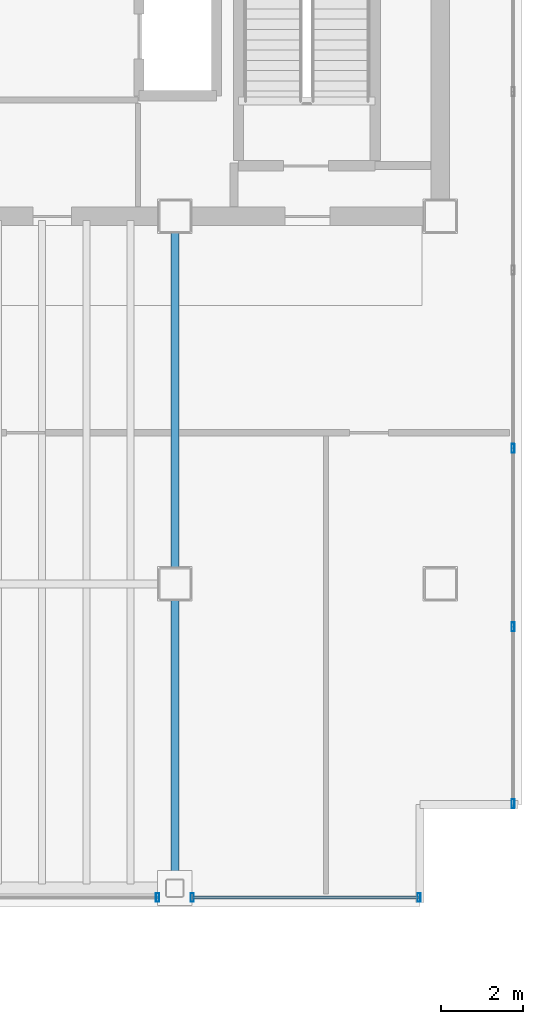
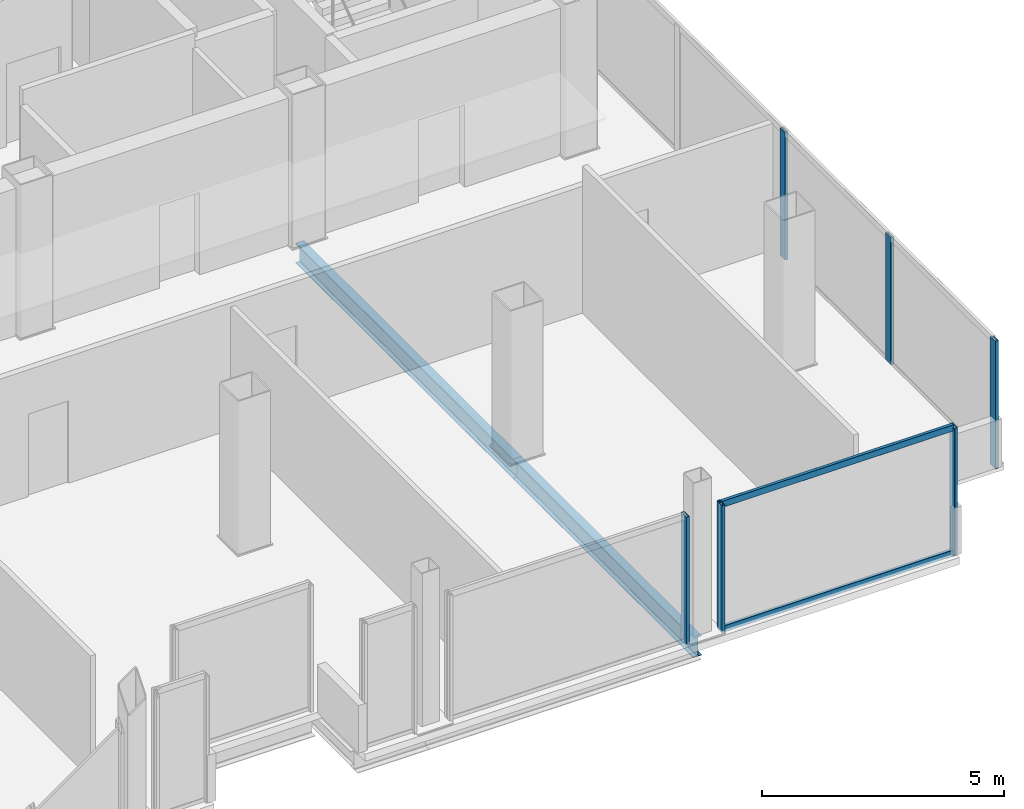
# One storey, part 10 of 16: 8 members, 2 beams, 3 elements without a shape of their own.
"""IFC4 building model written with IfcOpenShell, lengths in metres."""

from ifc_helpers import new_model, si_unit, direction, frame, origin, origin_2d, place, context, subcontext, project, spatial, hollow_rectangle, i_section, extrude, material, material_profile, profile_set, type_object, element, aggregate, save


model = new_model("IFC4")

# Units and contexts
model_context = context("Model", 3, precision=1e-05, world=origin(), true_north=direction((0.0, 1.0)))
body_context = subcontext(model_context, "Body", "Model", "MODEL_VIEW")
ifc_project = project(units=[si_unit("LENGTHUNIT", "METRE"), si_unit("AREAUNIT", "SQUARE_METRE"), si_unit("VOLUMEUNIT", "CUBIC_METRE"), si_unit("PLANEANGLEUNIT", "RADIAN"), si_unit("MASSUNIT", "GRAM", prefix="KILO")], contexts=[model_context])

# Site, building, storey
site_placement = place(None, origin())
site = spatial("IfcSite", under=ifc_project, at=site_placement, CompositionType="ELEMENT")
building_placement = place(site_placement, origin())
building = spatial("IfcBuilding", under=site, at=building_placement, Name="Noeulbin Bourse Tower", CompositionType="ELEMENT")
storey_placement = place(building_placement, frame((0.0, 0.0, 234.5)))
storey = spatial("IfcBuildingStorey", under=building, at=storey_placement, Name="L58", CompositionType="ELEMENT", Elevation=234.5)

# Beams
ifc_material_1 = material(Name="Steel S355", Category="steel")
ifc_material_profile_1 = material_profile(ifc_material_1, i_section(OverallWidth=0.199951171875, OverallDepth=0.5, WebThickness=0.010009765625, FlangeThickness=0.01611328125, FilletRadius=0.02001953125, at=origin_2d()), Name="H-500x200x10x16", Category="LoadBearing")
ifc_profile_set_1 = profile_set([ifc_material_profile_1], Name="Steel S355")
beam_type = type_object("IfcBeamType", Name="BM-GRD-500", PredefinedType="USERDEFINED", material=ifc_profile_set_1)
beam_1_placement = place(storey_placement, frame((37.5, 12.550048828125, -0.429931640625), z_axis=(0.0, 1.0, 0.0), x_axis=(-1.0, 0.0, 0.0)))
element("IfcBeam", 1, at=beam_1_placement, inside=storey, type_object=beam_type, Name="Tower Primary Girder NS L58-4.1", ObjectType="GIRDER", PredefinedType="USERDEFINED", context=body_context, shape_type="SweptSolid", body=[
    extrude(i_section(OverallWidth=0.199951171875, OverallDepth=0.5, WebThickness=0.010009765625, FlangeThickness=0.01611328125, FilletRadius=0.02001953125, at=origin_2d()), origin(), (0.0, 0.0, 1.0), 7.449951171875),
])
beam_2_placement = place(storey_placement, frame((37.5, 20.0, -0.429931640625), z_axis=(0.0, 1.0, 0.0), x_axis=(-1.0, 0.0, 0.0)))
element("IfcBeam", 2, at=beam_2_placement, inside=storey, type_object=beam_type, Name="Tower Primary Girder NS L58-4.2", ObjectType="GIRDER", PredefinedType="USERDEFINED", context=body_context, shape_type="SweptSolid", body=[
    extrude(i_section(OverallWidth=0.199951171875, OverallDepth=0.5, WebThickness=0.010009765625, FlangeThickness=0.01611328125, FilletRadius=0.02001953125, at=origin_2d()), origin(), (0.0, 0.0, 1.0), 9.0),
])

# Curtain wall, member
ifc_material_2 = material(Name="High-Selectivity Low-Iron Glazing", Category="glass")
curtain_wall_type = type_object("IfcCurtainWallType", Name="CW-SYS-4", PredefinedType="NOTDEFINED", material=ifc_material_2)
curtain_wall_1_placement = place(storey_placement, origin())
curtain_wall_1 = element("IfcCurtainWall", 3, at=curtain_wall_1_placement, inside=storey, type_object=curtain_wall_type, Name="Unitised Curtain Wall CW-L58-S3-S2", PredefinedType="NOTDEFINED")
ifc_material_3 = material(Name="Anodised Aluminium 6063-T6", Category="aluminium")
ifc_material_profile_2 = material_profile(ifc_material_3, hollow_rectangle(XDim=0.074951171875, YDim=0.219970703125, WallThickness=0.0048828125, InnerFilletRadius=0.00244140625, OuterFilletRadius=0.0048828125, at=origin_2d()), Name="ALU-MULL-75x220x5", Category="LoadBearing")
ifc_profile_set_2 = profile_set([ifc_material_profile_2], Name="Anodised Aluminium 6063-T6")
member_type_1 = type_object("IfcMemberType", Name="CW-SYS-4-MUL", PredefinedType="MULLION", material=ifc_profile_set_2)
member_1_placement = place(storey_placement, frame((37.074951171875, 12.320068359375, -0.02001953125), z_axis=(0.0, 0.0, 1.0), x_axis=(1.0, 0.0, 0.0)))
member_1 = element("IfcMember", 4, at=member_1_placement, type_object=member_type_1, Name="Curtain Wall Mullion CW-L58-S3-S2-M01", PredefinedType="MULLION", context=body_context, shape_type="SweptSolid", body=[
    extrude(hollow_rectangle(XDim=0.074951171875, YDim=0.219970703125, WallThickness=0.0048828125, InnerFilletRadius=0.00244140625, OuterFilletRadius=0.0048828125, at=origin_2d()), origin(), (0.0, 0.0, 1.0), 3.219970703125),
])
aggregate(curtain_wall_1, [member_1])

# Curtain wall, members
curtain_wall_2_placement = place(storey_placement, origin())
curtain_wall_2 = element("IfcCurtainWall", 5, at=curtain_wall_2_placement, inside=storey, type_object=curtain_wall_type, Name="Unitised Curtain Wall CW-L58-S3-S3", PredefinedType="NOTDEFINED")
member_2_placement = place(storey_placement, frame((37.925048828125, 12.320068359375, -0.02001953125), z_axis=(0.0, 0.0, 1.0), x_axis=(1.0, 0.0, 0.0)))
member_2 = element("IfcMember", 6, at=member_2_placement, type_object=member_type_1, Name="Curtain Wall Mullion CW-L58-S3-S3-M00", PredefinedType="MULLION", context=body_context, shape_type="SweptSolid", body=[
    extrude(hollow_rectangle(XDim=0.074951171875, YDim=0.219970703125, WallThickness=0.0048828125, InnerFilletRadius=0.00244140625, OuterFilletRadius=0.0048828125, at=origin_2d()), origin(), (0.0, 0.0, 1.0), 3.219970703125),
])
member_3_placement = place(storey_placement, frame((43.47998046875, 12.320068359375, -0.02001953125), z_axis=(0.0, 0.0, 1.0), x_axis=(1.0, 0.0, 0.0)))
member_3 = element("IfcMember", 7, at=member_3_placement, type_object=member_type_1, Name="Curtain Wall Mullion CW-L58-S3-S3-M01", PredefinedType="MULLION", context=body_context, shape_type="SweptSolid", body=[
    extrude(hollow_rectangle(XDim=0.074951171875, YDim=0.219970703125, WallThickness=0.0048828125, InnerFilletRadius=0.00244140625, OuterFilletRadius=0.0048828125, at=origin_2d()), origin(), (0.0, 0.0, 1.0), 3.219970703125),
])

curtain_wall_3_placement = place(storey_placement, origin())
curtain_wall_3 = element("IfcCurtainWall", 8, at=curtain_wall_3_placement, inside=storey, type_object=curtain_wall_type, Name="Unitised Curtain Wall CW-L58-E", PredefinedType="NOTDEFINED")
member_4_placement = place(storey_placement, frame((45.780029296875, 14.6201171875, -0.02001953125), z_axis=(0.0, 0.0, 1.0), x_axis=(1.0, 0.0, 0.0)))
member_4 = element("IfcMember", 9, at=member_4_placement, type_object=member_type_1, Name="Curtain Wall Mullion CW-L58-E-M00", PredefinedType="MULLION", context=body_context, shape_type="SweptSolid", body=[
    extrude(hollow_rectangle(XDim=0.074951171875, YDim=0.219970703125, WallThickness=0.0048828125, InnerFilletRadius=0.00244140625, OuterFilletRadius=0.0048828125, at=origin_2d()), origin(), (0.0, 0.0, 1.0), 3.219970703125),
])
member_5_placement = place(storey_placement, frame((45.780029296875, 18.947998046875, -0.02001953125), z_axis=(0.0, 0.0, 1.0), x_axis=(1.0, 0.0, 0.0)))
member_5 = element("IfcMember", 10, at=member_5_placement, type_object=member_type_1, Name="Curtain Wall Mullion CW-L58-E-M01", PredefinedType="MULLION", context=body_context, shape_type="SweptSolid", body=[
    extrude(hollow_rectangle(XDim=0.074951171875, YDim=0.219970703125, WallThickness=0.0048828125, InnerFilletRadius=0.00244140625, OuterFilletRadius=0.0048828125, at=origin_2d()), origin(), (0.0, 0.0, 1.0), 3.219970703125),
])
member_6_placement = place(storey_placement, frame((45.780029296875, 23.31591796875, -0.02001953125), z_axis=(0.0, 0.0, 1.0), x_axis=(1.0, 0.0, 0.0)))
member_6 = element("IfcMember", 11, at=member_6_placement, type_object=member_type_1, Name="Curtain Wall Mullion CW-L58-E-M02", PredefinedType="MULLION", context=body_context, shape_type="SweptSolid", body=[
    extrude(hollow_rectangle(XDim=0.074951171875, YDim=0.219970703125, WallThickness=0.0048828125, InnerFilletRadius=0.00244140625, OuterFilletRadius=0.0048828125, at=origin_2d()), origin(), (0.0, 0.0, 1.0), 3.219970703125),
])
aggregate(curtain_wall_3, [member_4, member_5, member_6])

# Member
ifc_material_profile_3 = material_profile(ifc_material_3, hollow_rectangle(XDim=0.074951171875, YDim=0.159912109375, WallThickness=0.0048828125, InnerFilletRadius=0.00244140625, OuterFilletRadius=0.0048828125, at=origin_2d()), Name="ALU-TRAN-75x160x5", Category="LoadBearing")
ifc_profile_set_3 = profile_set([ifc_material_profile_3], Name="Anodised Aluminium 6063-T6")
member_type_2 = type_object("IfcMemberType", Name="CW-SYS-4-TRN", PredefinedType="USERDEFINED", material=ifc_profile_set_3)
member_7_placement = place(storey_placement, frame((37.93505859375, 12.320068359375, 0.010009765625), z_axis=(1.0, 0.0, 0.0), x_axis=(0.0, 1.0, 0.0)))
member_7 = element("IfcMember", 12, at=member_7_placement, type_object=member_type_2, Name="Curtain Wall Transom CW-L58-S3-S3-T00", ObjectType="TRANSOM", PredefinedType="USERDEFINED", context=body_context, shape_type="SweptSolid", body=[
    extrude(hollow_rectangle(XDim=0.074951171875, YDim=0.159912109375, WallThickness=0.0048828125, InnerFilletRadius=0.00244140625, OuterFilletRadius=0.0048828125, at=origin_2d()), origin(), (0.0, 0.0, 1.0), 5.534912109375),
])

member_8_placement = place(storey_placement, frame((37.93505859375, 12.320068359375, 3.169921875), z_axis=(1.0, 0.0, 0.0), x_axis=(0.0, 1.0, 0.0)))
member_8 = element("IfcMember", 13, at=member_8_placement, type_object=member_type_2, Name="Curtain Wall Transom CW-L58-S3-S3-T01", ObjectType="TRANSOM", PredefinedType="USERDEFINED", context=body_context, shape_type="SweptSolid", body=[
    extrude(hollow_rectangle(XDim=0.074951171875, YDim=0.159912109375, WallThickness=0.0048828125, InnerFilletRadius=0.00244140625, OuterFilletRadius=0.0048828125, at=origin_2d()), origin(), (0.0, 0.0, 1.0), 5.534912109375),
])

aggregate(curtain_wall_2, [member_2, member_3, member_7, member_8])

save(model, "model.ifc")
